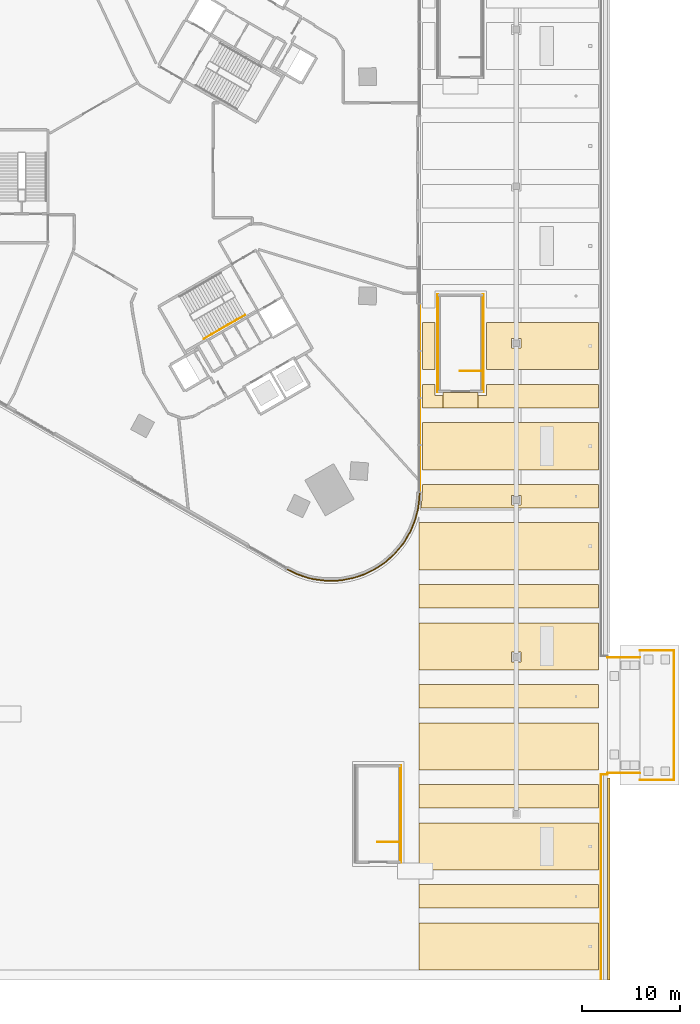
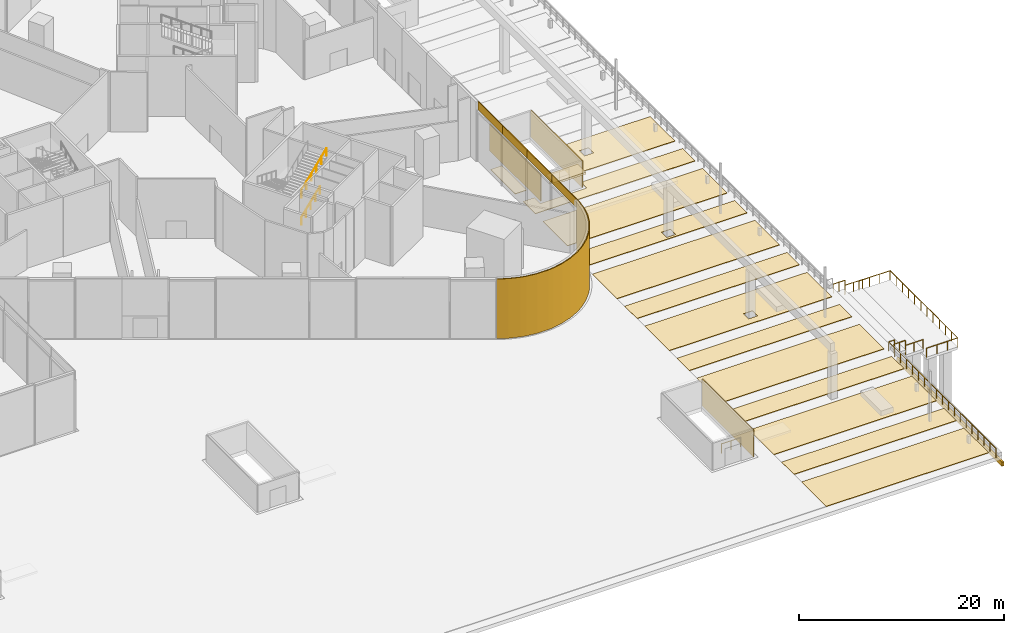
# One storey, part 36 of 41: 24 coverings, 10 railings.
"""IFC4 building model written with IfcOpenShell, lengths in metres."""

from ifc_helpers import new_model, si_unit, direction, frame, origin, origin_2d, place, context, subcontext, project, spatial, polyline, rectangle, circle, outline, extrude, material, layer, layer_set, type_object, element, save


model = new_model("IFC4")

# Units and contexts
model_context = context("Model", 3, precision=1e-05, world=origin(), true_north=direction((0.0, 1.0)))
body_context = subcontext(model_context, "Body", "Model", "MODEL_VIEW")
ifc_project = project(units=[si_unit("LENGTHUNIT", "METRE"), si_unit("AREAUNIT", "SQUARE_METRE"), si_unit("VOLUMEUNIT", "CUBIC_METRE"), si_unit("PLANEANGLEUNIT", "RADIAN"), si_unit("MASSUNIT", "GRAM", prefix="KILO")], contexts=[model_context])

# Site, building, storey
site_placement = place(None, origin())
site = spatial("IfcSite", under=ifc_project, at=site_placement, CompositionType="ELEMENT")
building_placement = place(site_placement, origin())
building = spatial("IfcBuilding", under=site, at=building_placement, Name="Tamra Quay Hotel Tower", CompositionType="ELEMENT")
storey_placement = place(building_placement, origin())
storey = spatial("IfcBuildingStorey", under=building, at=storey_placement, Name="L00", CompositionType="ELEMENT", Elevation=0.0)

# Railings
ifc_material_1 = material(Name="Basement stair guard 1100")
railing_type_1 = type_object("IfcRailingType", Name="Basement stair guard 1100", PredefinedType="GUARDRAIL", material=ifc_material_1)
railing_1_placement = place(storey_placement, frame((24.89990234375, -66.85009765625, 0.0)))
element("IfcRailing", 1, at=railing_1_placement, inside=storey, type_object=railing_type_1, Name="BSG", PredefinedType="GUARDRAIL", context=body_context, shape_type="SweptSolid", body=[
    extrude(circle(Radius=0.02392578125, at=origin_2d()), frame((0.0, 0.0, 1.076171875), z_axis=(-1.0, 0.0, 0.0), x_axis=(0.0, -1.0, 0.0)), (0.0, 0.0, 1.0), 2.14990234375),
    extrude(circle(Radius=0.02099609375, at=origin_2d()), origin(), (0.0, 0.0, 1.0), 1.052001953125),
    extrude(circle(Radius=0.02099609375, at=origin_2d()), frame((-1.074951171875, 0.0, 0.0)), (0.0, 0.0, 1.0), 1.052001953125),
    extrude(circle(Radius=0.02099609375, at=origin_2d()), frame((-2.14990234375, 0.0, 0.0)), (0.0, 0.0, 1.0), 1.052001953125),
])
railing_2_placement = place(storey_placement, frame((33.300048828125, -18.85009765625, 0.0)))
element("IfcRailing", 2, at=railing_2_placement, inside=storey, type_object=railing_type_1, Name="BSG", PredefinedType="GUARDRAIL", context=body_context, shape_type="SweptSolid", body=[
    extrude(circle(Radius=0.02392578125, at=origin_2d()), frame((0.0, 0.0, 1.076171875), z_axis=(-1.0, 0.0, 0.0), x_axis=(0.0, -1.0, 0.0)), (0.0, 0.0, 1.0), 2.150146484375),
    extrude(circle(Radius=0.02099609375, at=origin_2d()), origin(), (0.0, 0.0, 1.0), 1.052001953125),
    extrude(circle(Radius=0.02099609375, at=origin_2d()), frame((-1.0751953125, 0.0, 0.0)), (0.0, 0.0, 1.0), 1.052001953125),
    extrude(circle(Radius=0.02099609375, at=origin_2d()), frame((-2.150146484375, 0.0, 0.0)), (0.0, 0.0, 1.0), 1.052001953125),
])

# Coverings
ifc_material_2 = material(Name="Reinforced concrete M60 with waterproofing membrane", Category="concrete")
ifc_layer_1 = layer(ifc_material_2, 0.25)
ifc_layer_set_1 = layer_set([ifc_layer_1], Name="PAVILION CANOPY SHEET 250")
covering_type_1 = type_object("IfcCoveringType", Name="PAVILION CANOPY SHEET 250", PredefinedType="ROOFING", material=ifc_layer_set_1)
covering_1_placement = place(storey_placement, frame((0.0, 0.0, 2.75)))
element("IfcCovering", 3, at=covering_1_placement, inside=storey, type_object=covering_type_1, Name="Stair pavilion BS15 door canopy", PredefinedType="ROOFING", context=body_context, shape_type="SweptSolid", body=[
    extrude(outline(polyline([(29.425048828125, -21.0), (33.02490234375, -21.0), (33.02490234375, -22.60009765625), (29.425048828125, -22.60009765625), (29.425048828125, -21.0)])), origin(), (0.0, 0.0, 1.0), 0.25),
])
ifc_material_3 = material(Name="Precast concrete M60 terracotta-coloured pierced relief", Category="masonry")
ifc_layer_2 = layer(ifc_material_3, 0.10009765625)
ifc_layer_set_2 = layer_set([ifc_layer_2], Name="PIERCED RELIEF PANEL 100")
covering_type_2 = type_object("IfcCoveringType", Name="PIERCED RELIEF PANEL 100", PredefinedType="CLADDING", material=ifc_layer_set_2)
covering_2_placement = place(storey_placement, origin())
element("IfcCovering", 4, at=covering_2_placement, inside=storey, type_object=covering_type_2, Name="Relief panel L00.c1", PredefinedType="CLADDING", context=body_context, shape_type="SweptSolid", body=[
    extrude(outline(polyline([(13.5, -38.97119140625), (14.555908203125, -39.491943359375), (15.670654296875, -39.870361328125), (16.244140625, -40.00390625), (17.411376953125, -40.15771484375), (18.588623046875, -40.15771484375), (19.1748046875, -40.099853515625), (20.329345703125, -39.870361328125), (21.444091796875, -39.491943359375), (22.5, -38.97119140625), (23.000244140625, -38.66015625), (23.478759765625, -38.317138671875), (24.364013671875, -37.540771484375), (25.14013671875, -36.65576171875), (25.483154296875, -36.177001953125), (26.07177734375, -35.157470703125), (26.5224609375, -34.06982421875), (26.8271484375, -32.9326171875), (26.980712890625, -31.765625), (27.0, -31.177001953125), (27.099853515625, -31.18017578125), (27.080322265625, -31.773681640625), (26.925048828125, -32.9521484375), (26.616943359375, -34.10205078125), (26.16162109375, -35.20166015625), (25.5673828125, -36.231201171875), (25.218505859375, -36.718017578125), (24.4345703125, -37.611572265625), (23.541015625, -38.3955078125), (23.0556640625, -38.743408203125), (22.548583984375, -39.05859375), (21.482421875, -39.584228515625), (20.355224609375, -39.966796875), (19.189453125, -40.19873046875), (18.593505859375, -40.257568359375), (17.40478515625, -40.25732421875), (16.226318359375, -40.102294921875), (15.64306640625, -39.96630859375), (14.517578125, -39.584228515625), (13.455810546875, -39.060791015625), (13.5, -38.97119140625)])), origin(), (0.0, 0.0, 1.0), 7.10009765625),
])
for number, where, z_axis, x_axis, name in (
    (5, (27.050048828125, -28.77880859375, 6.10009765625), (0.0, 0.0, 1.0), (0.0, 1.0, 0.0), "Relief panel L00.E.04"),
    (6, (27.050048828125, -23.982177734375, 6.10009765625), (0.0, 0.0, 1.0), (0.0, 1.0, 0.0), "Relief panel L00.E.05"),
    (7, (27.050048828125, -19.185791015625, 6.10009765625), (0.0, 0.0, 1.0), (0.0, 1.0, 0.0), "Relief panel L00.E.06"),
    (8, (27.050048828125, -14.389404296875, 6.10009765625), (0.0, 0.0, 1.0), (0.0, 1.0, 0.0), "Relief panel L00.E.07"),
):
    element("IfcCovering", number, at=place(storey_placement, frame(where, z_axis=z_axis, x_axis=x_axis)), inside=storey, type_object=covering_type_2, Name=name, PredefinedType="CLADDING", context=body_context, shape_type="SweptSolid", body=[
        extrude(rectangle(XDim=4.7763671875, YDim=0.10009765625, at=origin_2d()), origin(), (0.0, 0.0, 1.0), 1.0),
    ])
for number, where, z_axis, x_axis, name in (
    (9, (25.14990234375, -64.0, 0.0), (0.0, 0.0, 1.0), (0.0, 1.0, 0.0), "Relief panel BS13.E"),
    (10, (28.89990234375, -16.0, 0.0), (0.0, 0.0, 1.0), (0.0, -1.0, 0.0), "Relief panel BS15.W"),
    (11, (33.550048828125, -16.0, 0.0), (0.0, 0.0, 1.0), (0.0, 1.0, 0.0), "Relief panel BS15.E"),
):
    element("IfcCovering", number, at=place(storey_placement, frame(where, z_axis=z_axis, x_axis=x_axis)), inside=storey, type_object=covering_type_2, Name=name, PredefinedType="CLADDING", context=body_context, shape_type="SweptSolid", body=[
        extrude(rectangle(XDim=9.97998046875, YDim=0.10009765625, at=origin_2d()), origin(), (0.0, 0.0, 1.0), 3.199951171875),
    ])
ifc_material_4 = material(Name="Limestone flagstone paving light grey", Category="masonry")
ifc_layer_3 = layer(ifc_material_4, 0.06005859375)
ifc_layer_set_3 = layer_set([ifc_layer_3], Name="PROMENADE PAVING 60")
covering_type_3 = type_object("IfcCoveringType", Name="PROMENADE PAVING 60", PredefinedType="USERDEFINED", material=ifc_layer_set_3)
covering_3_placement = place(storey_placement, origin())
element("IfcCovering", 12, at=covering_3_placement, inside=storey, type_object=covering_type_3, Name="Tamra Quay Promenade paving strip.01", ObjectType="PAVING", PredefinedType="USERDEFINED", context=body_context, shape_type="SweptSolid", body=[
    extrude(outline(polyline([(27.0, -79.89990234375), (45.300048828125, -79.89990234375), (45.300048828125, -75.10009765625), (27.0, -75.10009765625), (27.0, -79.89990234375)])), origin(), (0.0, 0.0, 1.0), 0.06005859375),
])
covering_4_placement = place(storey_placement, origin())
element("IfcCovering", 13, at=covering_4_placement, inside=storey, type_object=covering_type_3, Name="Tamra Quay Promenade paving strip.02", ObjectType="PAVING", PredefinedType="USERDEFINED", context=body_context, shape_type="SweptSolid", body=[
    extrude(outline(polyline([(27.0, -71.199951171875), (27.0, -73.60009765625), (45.300048828125, -73.60009765625), (45.300048828125, -71.199951171875), (27.0, -71.199951171875)])), origin(), (0.0, 0.0, 1.0), 0.06005859375),
])
covering_5_placement = place(storey_placement, origin())
element("IfcCovering", 14, at=covering_5_placement, inside=storey, type_object=covering_type_3, Name="Tamra Quay Promenade paving strip.03", ObjectType="PAVING", PredefinedType="USERDEFINED", context=body_context, shape_type="SweptSolid", body=[
    extrude(outline(polyline([(27.0, -64.89990234375), (27.0, -69.699951171875), (45.300048828125, -69.699951171875), (45.300048828125, -64.89990234375), (27.0, -64.89990234375)])), origin(), (0.0, 0.0, 1.0), 0.06005859375),
])
covering_6_placement = place(storey_placement, origin())
element("IfcCovering", 15, at=covering_6_placement, inside=storey, type_object=covering_type_3, Name="Tamra Quay Promenade paving strip.04", ObjectType="PAVING", PredefinedType="USERDEFINED", context=body_context, shape_type="SweptSolid", body=[
    extrude(outline(polyline([(27.0, -61.0), (27.0, -63.39990234375), (45.300048828125, -63.39990234375), (45.300048828125, -61.0), (27.0, -61.0)])), origin(), (0.0, 0.0, 1.0), 0.06005859375),
])
covering_7_placement = place(storey_placement, origin())
element("IfcCovering", 16, at=covering_7_placement, inside=storey, type_object=covering_type_3, Name="Tamra Quay Promenade paving strip.05", ObjectType="PAVING", PredefinedType="USERDEFINED", context=body_context, shape_type="SweptSolid", body=[
    extrude(outline(polyline([(27.0, -54.699951171875), (27.0, -59.5), (45.300048828125, -59.5), (45.300048828125, -54.699951171875), (27.0, -54.699951171875)])), origin(), (0.0, 0.0, 1.0), 0.06005859375),
])
covering_8_placement = place(storey_placement, origin())
element("IfcCovering", 17, at=covering_8_placement, inside=storey, type_object=covering_type_3, Name="Tamra Quay Promenade paving strip.06", ObjectType="PAVING", PredefinedType="USERDEFINED", context=body_context, shape_type="SweptSolid", body=[
    extrude(outline(polyline([(27.0, -50.800048828125), (27.0, -53.199951171875), (45.300048828125, -53.199951171875), (45.300048828125, -50.800048828125), (27.0, -50.800048828125)])), origin(), (0.0, 0.0, 1.0), 0.06005859375),
])
covering_9_placement = place(storey_placement, origin())
element("IfcCovering", 18, at=covering_9_placement, inside=storey, type_object=covering_type_3, Name="Tamra Quay Promenade paving strip.07", ObjectType="PAVING", PredefinedType="USERDEFINED", context=body_context, shape_type="SweptSolid", body=[
    extrude(outline(polyline([(27.0, -44.5), (27.0, -49.300048828125), (45.300048828125, -49.300048828125), (45.300048828125, -44.5), (27.0, -44.5)]), holes=[polyline([(36.39990234375, -47.5), (36.39990234375, -48.5), (37.39990234375, -48.5), (37.39990234375, -47.5), (36.39990234375, -47.5)])]), origin(), (0.0, 0.0, 1.0), 0.06005859375),
])
covering_10_placement = place(storey_placement, origin())
element("IfcCovering", 19, at=covering_10_placement, inside=storey, type_object=covering_type_3, Name="Tamra Quay Promenade paving strip.08", ObjectType="PAVING", PredefinedType="USERDEFINED", context=body_context, shape_type="SweptSolid", body=[
    extrude(outline(polyline([(27.0, -40.60009765625), (27.0, -43.0), (45.300048828125, -43.0), (45.300048828125, -40.60009765625), (27.0, -40.60009765625)])), origin(), (0.0, 0.0, 1.0), 0.06005859375),
])
covering_11_placement = place(storey_placement, origin())
element("IfcCovering", 20, at=covering_11_placement, inside=storey, type_object=covering_type_3, Name="Tamra Quay Promenade paving strip.09", ObjectType="PAVING", PredefinedType="USERDEFINED", context=body_context, shape_type="SweptSolid", body=[
    extrude(outline(polyline([(27.0, -34.300048828125), (27.0, -39.10009765625), (45.300048828125, -39.10009765625), (45.300048828125, -34.300048828125), (27.0, -34.300048828125)])), origin(), (0.0, 0.0, 1.0), 0.06005859375),
])
covering_12_placement = place(storey_placement, origin())
element("IfcCovering", 21, at=covering_12_placement, inside=storey, type_object=covering_type_3, Name="Tamra Quay Promenade paving strip.10", ObjectType="PAVING", PredefinedType="USERDEFINED", context=body_context, shape_type="SweptSolid", body=[
    extrude(outline(polyline([(27.240478515625, -32.393310546875), (27.17333984375, -32.800048828125), (45.300048828125, -32.800048828125), (45.300048828125, -30.39990234375), (27.320068359375, -30.39990234375), (27.320068359375, -31.18212890625), (27.30029296875, -31.78662109375), (27.240478515625, -32.393310546875)]), holes=[polyline([(36.39990234375, -31.5), (36.39990234375, -32.5), (37.39990234375, -32.5), (37.39990234375, -31.5), (36.39990234375, -31.5)])]), origin(), (0.0, 0.0, 1.0), 0.06005859375),
])
covering_13_placement = place(storey_placement, origin())
element("IfcCovering", 22, at=covering_13_placement, inside=storey, type_object=covering_type_3, Name="Tamra Quay Promenade paving strip.11", ObjectType="PAVING", PredefinedType="USERDEFINED", context=body_context, shape_type="SweptSolid", body=[
    extrude(outline(polyline([(27.320068359375, -24.10009765625), (27.320068359375, -28.89990234375), (45.300048828125, -28.89990234375), (45.300048828125, -24.10009765625), (27.320068359375, -24.10009765625)])), origin(), (0.0, 0.0, 1.0), 0.06005859375),
])
covering_14_placement = place(storey_placement, origin())
element("IfcCovering", 23, at=covering_14_placement, inside=storey, type_object=covering_type_3, Name="Tamra Quay Promenade paving strip.12", ObjectType="PAVING", PredefinedType="USERDEFINED", context=body_context, shape_type="SweptSolid", body=[
    extrude(outline(polyline([(27.320068359375, -20.199951171875), (27.320068359375, -22.60009765625), (45.300048828125, -22.60009765625), (45.300048828125, -20.199951171875), (33.85009765625, -20.199951171875), (33.85009765625, -21.35009765625), (28.60009765625, -21.35009765625), (28.60009765625, -20.199951171875), (27.320068359375, -20.199951171875)])), origin(), (0.0, 0.0, 1.0), 0.06005859375),
])
covering_15_placement = place(storey_placement, origin())
element("IfcCovering", 24, at=covering_15_placement, inside=storey, type_object=covering_type_3, Name="Tamra Quay Promenade paving strip.13", ObjectType="PAVING", PredefinedType="USERDEFINED", context=body_context, shape_type="SweptSolid", body=[
    extrude(outline(polyline([(45.300048828125, -18.699951171875), (45.300048828125, -13.89990234375), (33.85009765625, -13.89990234375), (33.85009765625, -18.699951171875), (45.300048828125, -18.699951171875)]), holes=[polyline([(36.39990234375, -15.5), (36.39990234375, -16.5), (37.39990234375, -16.5), (37.39990234375, -15.5), (36.39990234375, -15.5)])]), origin(), (0.0, 0.0, 1.0), 0.06005859375),
])
covering_16_placement = place(storey_placement, origin())
element("IfcCovering", 25, at=covering_16_placement, inside=storey, type_object=covering_type_3, Name="Tamra Quay Promenade paving strip.13.1", ObjectType="PAVING", PredefinedType="USERDEFINED", context=body_context, shape_type="SweptSolid", body=[
    extrude(outline(polyline([(27.320068359375, -13.89990234375), (27.320068359375, -18.699951171875), (28.60009765625, -18.699951171875), (28.60009765625, -13.89990234375), (27.320068359375, -13.89990234375)])), origin(), (0.0, 0.0, 1.0), 0.06005859375),
])

# Railings
ifc_material_5 = material(Name="Stainless steel balustrade", Category="steel")
railing_type_2 = type_object("IfcRailingType", Name="QUAY EDGE GUARD 1100", PredefinedType="GUARDRAIL", material=ifc_material_5)
railing_3_placement = place(storey_placement, frame((45.550048828125, -80.89990234375, 0.0)))
element("IfcRailing", 26, at=railing_3_placement, inside=storey, type_object=railing_type_2, Name="GR3", PredefinedType="GUARDRAIL", context=body_context, shape_type="SweptSolid", body=[
    extrude(circle(Radius=0.02392578125, at=origin_2d()), frame((0.0, 0.0, 1.076171875), z_axis=(0.0, 1.0, 0.0), x_axis=(-1.0, 0.0, 0.0)), (0.0, 0.0, 1.0), 20.9169921875),
    extrude(circle(Radius=0.02392578125, at=origin_2d()), frame((0.0, 20.9169921875, 1.076171875), z_axis=(1.0, 0.0, 0.0), x_axis=(0.0, 1.0, 0.0)), (0.0, 0.0, 1.0), 0.64990234375),
    extrude(circle(Radius=0.02099609375, at=origin_2d()), origin(), (0.0, 0.0, 1.0), 1.052001953125),
    extrude(circle(Radius=0.02099609375, at=origin_2d()), frame((0.0, 1.162109375, 0.0)), (0.0, 0.0, 1.0), 1.052001953125),
    extrude(circle(Radius=0.02099609375, at=origin_2d()), frame((0.0, 2.32421875, 0.0)), (0.0, 0.0, 1.0), 1.052001953125),
    extrude(circle(Radius=0.02099609375, at=origin_2d()), frame((0.0, 3.486083984375, 0.0)), (0.0, 0.0, 1.0), 1.052001953125),
    extrude(circle(Radius=0.02099609375, at=origin_2d()), frame((0.0, 4.648193359375, 0.0)), (0.0, 0.0, 1.0), 1.052001953125),
    extrude(circle(Radius=0.02099609375, at=origin_2d()), frame((0.0, 5.810302734375, 0.0)), (0.0, 0.0, 1.0), 1.052001953125),
    extrude(circle(Radius=0.02099609375, at=origin_2d()), frame((0.0, 6.972412109375, 0.0)), (0.0, 0.0, 1.0), 1.052001953125),
    extrude(circle(Radius=0.02099609375, at=origin_2d()), frame((0.0, 8.13427734375, 0.0)), (0.0, 0.0, 1.0), 1.052001953125),
    extrude(circle(Radius=0.02099609375, at=origin_2d()), frame((0.0, 9.29638671875, 0.0)), (0.0, 0.0, 1.0), 1.052001953125),
    extrude(circle(Radius=0.02099609375, at=origin_2d()), frame((0.0, 10.45849609375, 0.0)), (0.0, 0.0, 1.0), 1.052001953125),
    extrude(circle(Radius=0.02099609375, at=origin_2d()), frame((0.0, 11.62060546875, 0.0)), (0.0, 0.0, 1.0), 1.052001953125),
    extrude(circle(Radius=0.02099609375, at=origin_2d()), frame((0.0, 12.78271484375, 0.0)), (0.0, 0.0, 1.0), 1.052001953125),
    extrude(circle(Radius=0.02099609375, at=origin_2d()), frame((0.0, 13.944580078125, 0.0)), (0.0, 0.0, 1.0), 1.052001953125),
    extrude(circle(Radius=0.02099609375, at=origin_2d()), frame((0.0, 15.106689453125, 0.0)), (0.0, 0.0, 1.0), 1.052001953125),
    extrude(circle(Radius=0.02099609375, at=origin_2d()), frame((0.0, 16.268798828125, 0.0)), (0.0, 0.0, 1.0), 1.052001953125),
    extrude(circle(Radius=0.02099609375, at=origin_2d()), frame((0.0, 17.430908203125, 0.0)), (0.0, 0.0, 1.0), 1.052001953125),
    extrude(circle(Radius=0.02099609375, at=origin_2d()), frame((0.0, 18.5927734375, 0.0)), (0.0, 0.0, 1.0), 1.052001953125),
    extrude(circle(Radius=0.02099609375, at=origin_2d()), frame((0.0, 19.7548828125, 0.0)), (0.0, 0.0, 1.0), 1.052001953125),
    extrude(circle(Radius=0.02099609375, at=origin_2d()), frame((0.0, 20.9169921875, 0.0)), (0.0, 0.0, 1.0), 1.052001953125),
    extrude(circle(Radius=0.02099609375, at=origin_2d()), frame((0.64990234375, 20.9169921875, 0.0)), (0.0, 0.0, 1.0), 1.052001953125),
])
for number, where, name in (
    (27, (46.199951171875, -59.8330078125, -0.60009765625), "GR3"),
    (28, (46.199951171875, -48.032958984375, -0.60009765625), "GR3"),
):
    element("IfcRailing", number, at=place(storey_placement, frame(where)), inside=storey, type_object=railing_type_2, Name=name, PredefinedType="GUARDRAIL", context=body_context, shape_type="SweptSolid", body=[
        extrude(circle(Radius=0.02392578125, at=origin_2d()), frame((0.0, 0.0, 1.076171875), z_axis=(1.0, 0.0, 0.0), x_axis=(0.0, 1.0, 0.0)), (0.0, 0.0, 1.0), 1.300048828125),
        extrude(circle(Radius=0.02099609375, at=origin_2d()), origin(), (0.0, 0.0, 1.0), 1.052001953125),
        extrude(circle(Radius=0.02099609375, at=origin_2d()), frame((0.64990234375, 0.0, 0.0)), (0.0, 0.0, 1.0), 1.052001953125),
        extrude(circle(Radius=0.02099609375, at=origin_2d()), frame((1.300048828125, 0.0, 0.0)), (0.0, 0.0, 1.0), 1.052001953125),
    ])
for number, where, name in (
    (29, (47.5, -59.8330078125, -1.199951171875), "GR3"),
    (30, (47.5, -48.032958984375, -1.199951171875), "GR3"),
):
    element("IfcRailing", number, at=place(storey_placement, frame(where)), inside=storey, type_object=railing_type_2, Name=name, PredefinedType="GUARDRAIL", context=body_context, shape_type="SweptSolid", body=[
        extrude(circle(Radius=0.02392578125, at=origin_2d()), frame((0.0, 0.0, 1.076171875), z_axis=(1.0, 0.0, 0.0), x_axis=(0.0, 1.0, 0.0)), (0.0, 0.0, 1.0), 2.0),
        extrude(circle(Radius=0.02099609375, at=origin_2d()), origin(), (0.0, 0.0, 1.0), 1.052001953125),
        extrude(circle(Radius=0.02099609375, at=origin_2d()), frame((1.0, 0.0, 0.0)), (0.0, 0.0, 1.0), 1.052001953125),
        extrude(circle(Radius=0.02099609375, at=origin_2d()), frame((2.0, 0.0, 0.0)), (0.0, 0.0, 1.0), 1.052001953125),
    ])
railing_4_placement = place(storey_placement, frame((49.5, -60.532958984375, -1.800048828125)))
element("IfcRailing", 31, at=railing_4_placement, inside=storey, type_object=railing_type_2, Name="GR3", PredefinedType="GUARDRAIL", context=body_context, shape_type="SweptSolid", body=[
    extrude(circle(Radius=0.02392578125, at=origin_2d()), frame((0.0, 0.0, 1.076171875), z_axis=(1.0, 0.0, 0.0), x_axis=(0.0, 1.0, 0.0)), (0.0, 0.0, 1.0), 3.5),
    extrude(circle(Radius=0.02392578125, at=origin_2d()), frame((3.5, 0.0, 1.076171875), z_axis=(0.0, 1.0, 0.0), x_axis=(-1.0, 0.0, 0.0)), (0.0, 0.0, 1.0), 13.199951171875),
    extrude(circle(Radius=0.02392578125, at=origin_2d()), frame((3.5, 13.199951171875, 1.076171875), z_axis=(-1.0, 0.0, 0.0), x_axis=(0.0, -1.0, 0.0)), (0.0, 0.0, 1.0), 3.5),
    extrude(circle(Radius=0.02099609375, at=origin_2d()), origin(), (0.0, 0.0, 1.0), 1.052001953125),
    extrude(circle(Radius=0.02099609375, at=origin_2d()), frame((1.166748046875, 0.0, 0.0)), (0.0, 0.0, 1.0), 1.052001953125),
    extrude(circle(Radius=0.02099609375, at=origin_2d()), frame((2.333251953125, 0.0, 0.0)), (0.0, 0.0, 1.0), 1.052001953125),
    extrude(circle(Radius=0.02099609375, at=origin_2d()), frame((3.5, 0.0, 0.0)), (0.0, 0.0, 1.0), 1.052001953125),
    extrude(circle(Radius=0.02099609375, at=origin_2d()), frame((3.5, 1.199951171875, 0.0)), (0.0, 0.0, 1.0), 1.052001953125),
    extrude(circle(Radius=0.02099609375, at=origin_2d()), frame((3.5, 2.39990234375, 0.0)), (0.0, 0.0, 1.0), 1.052001953125),
    extrude(circle(Radius=0.02099609375, at=origin_2d()), frame((3.5, 3.60009765625, 0.0)), (0.0, 0.0, 1.0), 1.052001953125),
    extrude(circle(Radius=0.02099609375, at=origin_2d()), frame((3.5, 4.800048828125, 0.0)), (0.0, 0.0, 1.0), 1.052001953125),
    extrude(circle(Radius=0.02099609375, at=origin_2d()), frame((3.5, 6.0, 0.0)), (0.0, 0.0, 1.0), 1.052001953125),
    extrude(circle(Radius=0.02099609375, at=origin_2d()), frame((3.5, 7.199951171875, 0.0)), (0.0, 0.0, 1.0), 1.052001953125),
    extrude(circle(Radius=0.02099609375, at=origin_2d()), frame((3.5, 8.39990234375, 0.0)), (0.0, 0.0, 1.0), 1.052001953125),
    extrude(circle(Radius=0.02099609375, at=origin_2d()), frame((3.5, 9.599853515625, 0.0)), (0.0, 0.0, 1.0), 1.052001953125),
    extrude(circle(Radius=0.02099609375, at=origin_2d()), frame((3.5, 10.800048828125, 0.0)), (0.0, 0.0, 1.0), 1.052001953125),
    extrude(circle(Radius=0.02099609375, at=origin_2d()), frame((3.5, 12.0, 0.0)), (0.0, 0.0, 1.0), 1.052001953125),
    extrude(circle(Radius=0.02099609375, at=origin_2d()), frame((3.5, 13.199951171875, 0.0)), (0.0, 0.0, 1.0), 1.052001953125),
    extrude(circle(Radius=0.02099609375, at=origin_2d()), frame((2.333251953125, 13.199951171875, 0.0)), (0.0, 0.0, 1.0), 1.052001953125),
    extrude(circle(Radius=0.02099609375, at=origin_2d()), frame((1.166748046875, 13.199951171875, 0.0)), (0.0, 0.0, 1.0), 1.052001953125),
    extrude(circle(Radius=0.02099609375, at=origin_2d()), frame((0.0, 13.199951171875, 0.0)), (0.0, 0.0, 1.0), 1.052001953125),
])

# Covering
ifc_material_6 = material(Name="Hardwood timber fender rail", Category="wood")
ifc_layer_4 = layer(ifc_material_6, 0.25)
ifc_layer_set_4 = layer_set([ifc_layer_4], Name="QUAY FENDER RAIL 250X500")
covering_type_4 = type_object("IfcCoveringType", Name="QUAY FENDER RAIL 250X500", PredefinedType="MOLDING", material=ifc_layer_set_4)
covering_17_placement = place(storey_placement, frame((0.0, 0.0, -1.300048828125)))
element("IfcCovering", 32, at=covering_17_placement, inside=storey, type_object=covering_type_4, Name="Quay fender rail", PredefinedType="MOLDING", context=body_context, shape_type="SweptSolid", body=[
    extrude(outline(polyline([(46.199951171875, -80.89990234375), (46.449951171875, -80.89990234375), (46.449951171875, -60.3330078125), (46.199951171875, -60.3330078125), (46.199951171875, -80.89990234375)])), origin(), (0.0, 0.0, 1.0), 0.5),
])

# Railings
ifc_material_7 = material(Name="Stair handrail 900")
railing_type_3 = type_object("IfcRailingType", Name="Stair handrail 900", PredefinedType="HANDRAIL", material=ifc_material_7)
railing_5_placement = place(storey_placement, frame((5.05126953125, -15.548828125, 2.25)))
element("IfcRailing", 33, at=railing_5_placement, inside=storey, type_object=railing_type_3, Name="HR", PredefinedType="HANDRAIL", context=body_context, shape_type="SweptSolid", body=[
    extrude(circle(Radius=0.02392578125, at=origin_2d()), frame((0.0, 0.0, 0.8759765625), z_axis=(0.801332673499, 0.462665772206, 0.379218050218), x_axis=(-0.500013080017, 0.866017851902, 0.0)), (0.0, 0.0, 1.0), 3.95556640625),
    extrude(circle(Radius=0.02099609375, at=origin_2d()), origin(), (0.0, 0.0, 1.0), 0.851806640625),
    extrude(circle(Radius=0.02099609375, at=origin_2d()), frame((0.79248046875, 0.45751953125, 0.375)), (0.0, 0.0, 1.0), 0.851806640625),
    extrude(circle(Radius=0.02099609375, at=origin_2d()), frame((1.5849609375, 0.9150390625, 0.75)), (0.0, 0.0, 1.0), 0.851806640625),
    extrude(circle(Radius=0.02099609375, at=origin_2d()), frame((2.377197265625, 1.37255859375, 1.125)), (0.0, 0.0, 1.0), 0.851806640625),
    extrude(circle(Radius=0.02099609375, at=origin_2d()), frame((3.169677734375, 1.830078125, 1.5)), (0.0, 0.0, 1.0), 0.851806640625),
])
railing_6_placement = place(storey_placement, frame((5.05126953125, -15.548828125, 5.5)))
element("IfcRailing", 34, at=railing_6_placement, inside=storey, type_object=railing_type_3, Name="HR", PredefinedType="HANDRAIL", context=body_context, shape_type="SweptSolid", body=[
    extrude(circle(Radius=0.02392578125, at=origin_2d()), frame((0.0, 0.0, 0.8759765625), z_axis=(0.80133307095, 0.462652958467, 0.379232843282), x_axis=(-0.500002508028, 0.866023955769, 0.0)), (0.0, 0.0, 1.0), 5.27392578125),
    extrude(circle(Radius=0.02099609375, at=origin_2d()), origin(), (0.0, 0.0, 1.0), 0.851806640625),
    extrude(circle(Radius=0.02099609375, at=origin_2d()), frame((0.84521484375, 0.488037109375, 0.39990234375)), (0.0, 0.0, 1.0), 0.851806640625),
    extrude(circle(Radius=0.02099609375, at=origin_2d()), frame((1.6904296875, 0.97607421875, 0.800048828125)), (0.0, 0.0, 1.0), 0.851806640625),
    extrude(circle(Radius=0.02099609375, at=origin_2d()), frame((2.53564453125, 1.4638671875, 1.199951171875)), (0.0, 0.0, 1.0), 0.851806640625),
    extrude(circle(Radius=0.02099609375, at=origin_2d()), frame((3.380859375, 1.951904296875, 1.60009765625)), (0.0, 0.0, 1.0), 0.851806640625),
    extrude(circle(Radius=0.02099609375, at=origin_2d()), frame((4.22607421875, 2.43994140625, 2.0)), (0.0, 0.0, 1.0), 0.851806640625),
])

save(model, "model.ifc")
